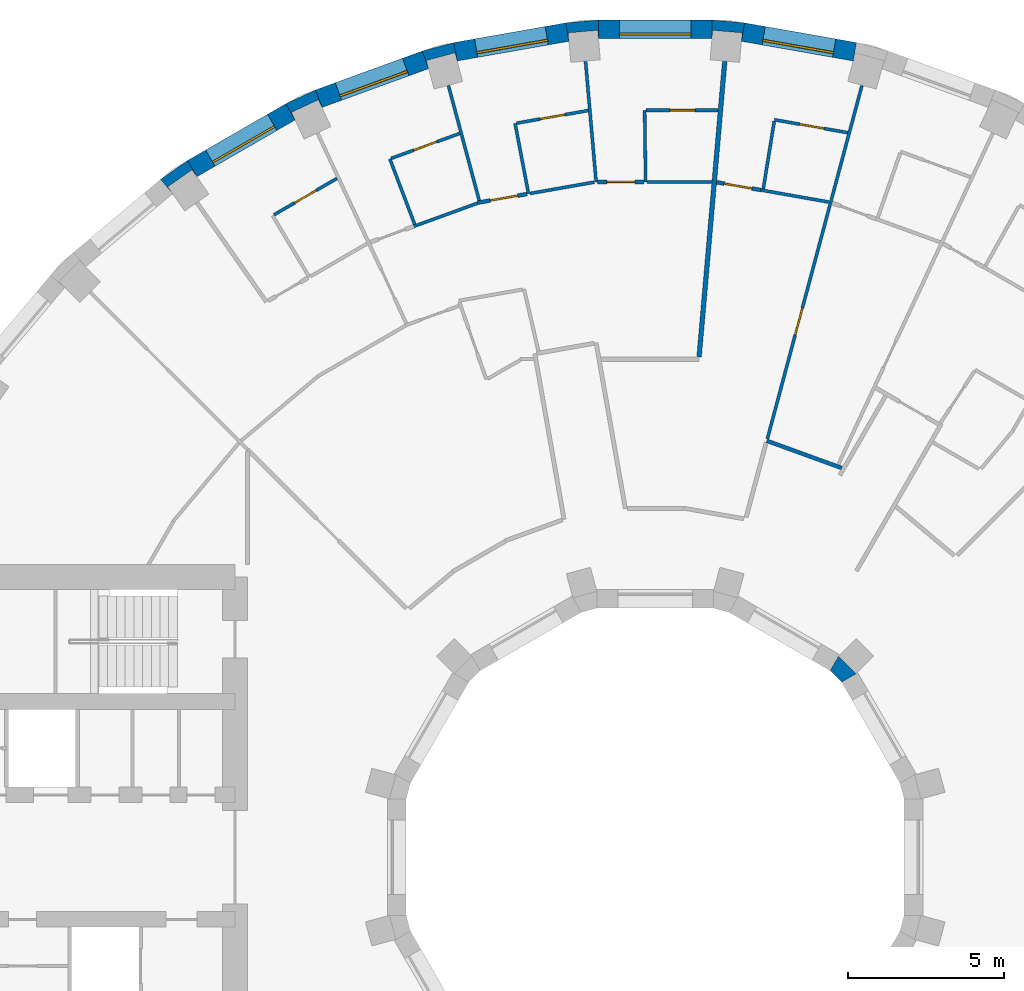
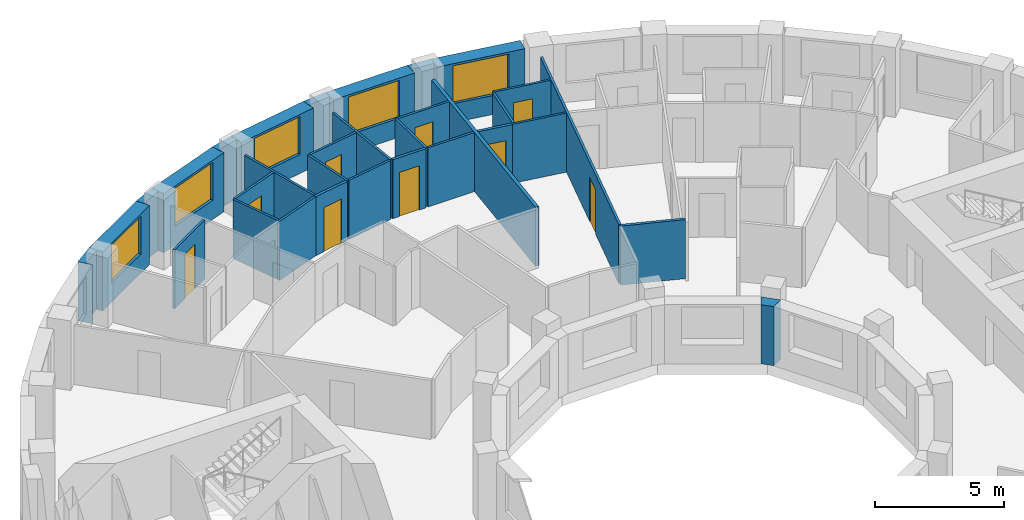
# One storey, part 12 of 16: 32 walls, 9 doors, 5 windows, 14 openings.
"""IFC4 building model written with IfcOpenShell, lengths in metres."""

from ifc_helpers import new_model, si_unit, direction, frame, frame_2d, origin, place, context, subcontext, project, spatial, polyline, rectangle, outline, extrude, material, layer, layer_set, type_object, element, fill, save


model = new_model("IFC4")

# Units and contexts
model_context = context("Model", 3, precision=1e-05, world=origin(), true_north=direction((0.0, 1.0)))
body_context = subcontext(model_context, "Body", "Model", "MODEL_VIEW")
ifc_project = project(units=[si_unit("LENGTHUNIT", "METRE"), si_unit("AREAUNIT", "SQUARE_METRE"), si_unit("VOLUMEUNIT", "CUBIC_METRE"), si_unit("PLANEANGLEUNIT", "RADIAN"), si_unit("MASSUNIT", "GRAM", prefix="KILO")], contexts=[model_context])

# Site, building, storey
site_placement = place(None, origin())
site = spatial("IfcSite", under=ifc_project, at=site_placement, CompositionType="ELEMENT")
building_placement = place(site_placement, origin())
building = spatial("IfcBuilding", under=site, at=building_placement, Name="Saqina Gate Tower", CompositionType="ELEMENT")
storey_placement = place(building_placement, frame((0.0, 0.0, 128.199951171875)))
storey = spatial("IfcBuildingStorey", under=building, at=storey_placement, Name="L36", CompositionType="ELEMENT", Elevation=128.199951171875)

# Walls
ifc_material_1 = material(Name="Brick masonry (buff)", Category="masonry")
wall_type_1 = type_object("IfcWallType", Name="BRICK PIER COPING BUFF", PredefinedType="SOLIDWALL", material=ifc_material_1)
wall_1_placement = place(storey_placement, origin())
element("IfcWall", 1, at=wall_1_placement, inside=storey, type_object=wall_type_1, Name="Pier cap L36 column 9", PredefinedType="SOLIDWALL", context=body_context, shape_type="SweptSolid", body=[
    extrude(outline(polyline([(2.87451171875, 26.805419921875), (1.823974609375, 26.897216796875), (1.823974609375, 26.29736328125), (1.847412109375, 26.565185546875), (2.793701171875, 26.482421875), (2.770263671875, 26.214599609375), (2.87451171875, 26.805419921875)])), origin(), (0.0, 0.0, 1.0), 2.800048828125),
])
wall_2_placement = place(storey_placement, origin())
element("IfcWall", 2, at=wall_2_placement, inside=storey, type_object=wall_type_1, Name="Pier cap L36 column 10", PredefinedType="SOLIDWALL", context=body_context, shape_type="SweptSolid", body=[
    extrude(outline(polyline([(-2.87451171875, 26.805419921875), (-2.770263671875, 26.214599609375), (-2.793701171875, 26.482421875), (-1.847412109375, 26.565185546875), (-1.823974609375, 26.29736328125), (-1.823974609375, 26.897216796875), (-2.87451171875, 26.805419921875)])), origin(), (0.0, 0.0, 1.0), 2.800048828125),
])
wall_3_placement = place(storey_placement, origin())
element("IfcWall", 3, at=wall_3_placement, inside=storey, type_object=wall_type_1, Name="Pier cap L36 column 11", PredefinedType="SOLIDWALL", context=body_context, shape_type="SweptSolid", body=[
    extrude(outline(polyline([(-6.466796875, 26.171875), (-7.485595703125, 25.89892578125), (-7.2802734375, 25.335205078125), (-7.349853515625, 25.5947265625), (-6.43212890625, 25.8408203125), (-6.36279296875, 25.5810546875), (-6.466796875, 26.171875)])), origin(), (0.0, 0.0, 1.0), 2.800048828125),
])
wall_4_placement = place(storey_placement, origin())
element("IfcWall", 4, at=wall_4_placement, inside=storey, type_object=wall_type_1, Name="Pier cap L36 column 12", PredefinedType="SOLIDWALL", context=body_context, shape_type="SweptSolid", body=[
    extrude(outline(polyline([(-10.913330078125, 24.6513671875), (-11.869140625, 24.205810546875), (-11.569091796875, 23.68603515625), (-11.6826171875, 23.9296875), (-10.82177734375, 24.331298828125), (-10.7080078125, 24.08740234375), (-10.913330078125, 24.6513671875)])), origin(), (0.0, 0.0, 1.0), 2.800048828125),
])
wall_5_placement = place(storey_placement, origin())
element("IfcWall", 5, at=wall_5_placement, inside=storey, type_object=wall_type_1, Name="Pier cap L36 column 13", PredefinedType="SOLIDWALL", context=body_context, shape_type="SweptSolid", body=[
    extrude(outline(polyline([(-15.89208984375, 21.77685546875), (-15.50634765625, 21.317138671875), (-15.66064453125, 21.53759765625), (-14.88232421875, 22.08251953125), (-14.728271484375, 21.862060546875), (-15.0283203125, 22.3818359375), (-15.89208984375, 21.77685546875)])), origin(), (0.0, 0.0, 1.0), 2.800048828125),
])

# Wall, opening, window
ifc_material_2 = material(Name="Brick masonry (buff)", Category="masonry")
ifc_layer_1 = layer(ifc_material_2, 0.60009765625)
ifc_layer_set_1 = layer_set([ifc_layer_1], Name="FW-BRICK-BUFF")
wall_type_2 = type_object("IfcWallType", Name="FW-BRICK-BUFF", PredefinedType="SOLIDWALL", material=ifc_layer_set_1)
wall_6_placement = place(storey_placement, frame((6.414794921875, 25.87646484375, 0.0), z_axis=(0.0, 0.0, 1.0), x_axis=(-0.984803764455, 0.173670796382, 0.0)))
wall_6 = element("IfcWall", 6, at=wall_6_placement, inside=storey, type_object=wall_type_2, Name="Facade wall L36 facet 8", PredefinedType="SOLIDWALL", context=body_context, shape_type="SweptSolid", body=[
    extrude(rectangle(XDim=3.64794921875, YDim=0.60009765625, at=frame_2d((1.823974609375, 0.0))), origin(), (0.0, 0.0, 1.0), 2.800048828125),
])
opening_1_placement = place(wall_6_placement, frame((0.673828125, 0.0, 0.89990234375)))
opening_1 = element("IfcOpeningElement", 7, at=opening_1_placement, cuts=wall_6, Name="Opening G10-W06", PredefinedType="OPENING", context=body_context, shape_type="SweptSolid", body=[
    extrude(rectangle(XDim=2.300048828125, YDim=1.800048828125, at=frame_2d((1.14990234375, 0.89990234375))), frame((0.0, 0.31201171875, 0.0), z_axis=(0.0, -1.0, 0.0), x_axis=(1.0, 0.0, 0.0)), (0.0, 0.0, 1.0), 0.6240234375),
])
ifc_material_3 = material(Name="Aluminium glazing", Category="aluminium")
window_type = type_object("IfcWindowType", Name="WN-B", PartitioningType="SINGLE_PANEL", PredefinedType="WINDOW", material=ifc_material_3)
window_1_placement = place(opening_1_placement, origin())
window_1 = element("IfcWindow", 8, at=window_1_placement, inside=storey, type_object=window_type, Name="Window L36 facet 8", OverallHeight=1.800048828125, OverallWidth=2.300048828125, PartitioningType="SINGLE_PANEL", PredefinedType="WINDOW", context=body_context, shape_type="SweptSolid", body=[
    extrude(rectangle(XDim=2.300048828125, YDim=1.800048828125, at=frame_2d((1.14990234375, 0.89990234375))), frame((0.0, 0.179931640625, 0.0), z_axis=(0.0, -1.0, 0.0), x_axis=(1.0, 0.0, 0.0)), (0.0, 0.0, 1.0), 0.06005859375),
])
fill(opening_1, window_1)

wall_7_placement = place(storey_placement, frame((1.823974609375, 26.59716796875, 0.0), z_axis=(0.0, 0.0, 1.0), x_axis=(-1.0, 0.0, 0.0)))
wall_7 = element("IfcWall", 9, at=wall_7_placement, inside=storey, type_object=wall_type_2, Name="Facade wall L36 facet 9", PredefinedType="SOLIDWALL", context=body_context, shape_type="SweptSolid", body=[
    extrude(rectangle(XDim=3.64794921875, YDim=0.60009765625, at=frame_2d((1.823974609375, 0.0))), origin(), (0.0, 0.0, 1.0), 2.800048828125),
])
opening_2_placement = place(wall_7_placement, frame((0.673828125, 0.0, 0.89990234375)))
opening_2 = element("IfcOpeningElement", 10, at=opening_2_placement, cuts=wall_7, Name="Opening G10-W07", PredefinedType="OPENING", context=body_context, shape_type="SweptSolid", body=[
    extrude(rectangle(XDim=2.300048828125, YDim=1.800048828125, at=frame_2d((1.14990234375, 0.89990234375))), frame((0.0, 0.31201171875, 0.0), z_axis=(0.0, -1.0, 0.0), x_axis=(1.0, 0.0, 0.0)), (0.0, 0.0, 1.0), 0.6240234375),
])
window_2_placement = place(opening_2_placement, origin())
window_2 = element("IfcWindow", 11, at=window_2_placement, inside=storey, type_object=window_type, Name="Window L36 facet 9", OverallHeight=1.800048828125, OverallWidth=2.300048828125, PartitioningType="SINGLE_PANEL", PredefinedType="WINDOW", context=body_context, shape_type="SweptSolid", body=[
    extrude(rectangle(XDim=2.300048828125, YDim=1.800048828125, at=frame_2d((1.14990234375, 0.89990234375))), frame((0.0, 0.179931640625, 0.0), z_axis=(0.0, -1.0, 0.0), x_axis=(1.0, 0.0, 0.0)), (0.0, 0.0, 1.0), 0.06005859375),
])
fill(opening_2, window_2)

wall_8_placement = place(storey_placement, frame((-2.822265625, 26.510009765625, 0.0), z_axis=(0.0, 0.0, 1.0), x_axis=(-0.984803764455, -0.173670796382, 0.0)))
wall_8 = element("IfcWall", 12, at=wall_8_placement, inside=storey, type_object=wall_type_2, Name="Facade wall L36 facet 10", PredefinedType="SOLIDWALL", context=body_context, shape_type="SweptSolid", body=[
    extrude(rectangle(XDim=3.64794921875, YDim=0.60009765625, at=frame_2d((1.823974609375, 0.0))), origin(), (0.0, 0.0, 1.0), 2.800048828125),
])
opening_3_placement = place(wall_8_placement, frame((0.673828125, 0.0, 0.89990234375)))
opening_3 = element("IfcOpeningElement", 13, at=opening_3_placement, cuts=wall_8, Name="Opening G10-W08", PredefinedType="OPENING", context=body_context, shape_type="SweptSolid", body=[
    extrude(rectangle(XDim=2.300048828125, YDim=1.800048828125, at=frame_2d((1.14990234375, 0.89990234375))), frame((0.0, 0.31201171875, 0.0), z_axis=(0.0, -1.0, 0.0), x_axis=(1.0, 0.0, 0.0)), (0.0, 0.0, 1.0), 0.6240234375),
])
window_3_placement = place(opening_3_placement, origin())
window_3 = element("IfcWindow", 14, at=window_3_placement, inside=storey, type_object=window_type, Name="Window L36 facet 10", OverallHeight=1.800048828125, OverallWidth=2.300048828125, PartitioningType="SINGLE_PANEL", PredefinedType="WINDOW", context=body_context, shape_type="SweptSolid", body=[
    extrude(rectangle(XDim=2.300048828125, YDim=1.800048828125, at=frame_2d((1.14990234375, 0.89990234375))), frame((0.0, 0.179931640625, 0.0), z_axis=(0.0, -1.0, 0.0), x_axis=(1.0, 0.0, 0.0)), (0.0, 0.0, 1.0), 0.06005859375),
])
fill(opening_3, window_3)

wall_9_placement = place(storey_placement, frame((-7.3828125, 25.616943359375, 0.0), z_axis=(0.0, 0.0, 1.0), x_axis=(-0.939703505393, -0.341990236633, 0.0)))
wall_9 = element("IfcWall", 15, at=wall_9_placement, inside=storey, type_object=wall_type_2, Name="Facade wall L36 facet 11", PredefinedType="SOLIDWALL", context=body_context, shape_type="SweptSolid", body=[
    extrude(rectangle(XDim=3.64794921875, YDim=0.60009765625, at=frame_2d((1.823974609375, 0.0))), origin(), (0.0, 0.0, 1.0), 2.800048828125),
])
opening_4_placement = place(wall_9_placement, frame((0.673828125, 0.0, 0.89990234375)))
opening_4 = element("IfcOpeningElement", 16, at=opening_4_placement, cuts=wall_9, Name="Opening G10-W09", PredefinedType="OPENING", context=body_context, shape_type="SweptSolid", body=[
    extrude(rectangle(XDim=2.300048828125, YDim=1.800048828125, at=frame_2d((1.14990234375, 0.89990234375))), frame((0.0, 0.31201171875, 0.0), z_axis=(0.0, -1.0, 0.0), x_axis=(1.0, 0.0, 0.0)), (0.0, 0.0, 1.0), 0.6240234375),
])
window_4_placement = place(opening_4_placement, origin())
window_4 = element("IfcWindow", 17, at=window_4_placement, inside=storey, type_object=window_type, Name="Window L36 facet 11", OverallHeight=1.800048828125, OverallWidth=2.300048828125, PartitioningType="SINGLE_PANEL", PredefinedType="WINDOW", context=body_context, shape_type="SweptSolid", body=[
    extrude(rectangle(XDim=2.300048828125, YDim=1.800048828125, at=frame_2d((1.14990234375, 0.89990234375))), frame((0.0, 0.179931640625, 0.0), z_axis=(0.0, -1.0, 0.0), x_axis=(1.0, 0.0, 0.0)), (0.0, 0.0, 1.0), 0.06005859375),
])
fill(opening_4, window_4)

wall_10_placement = place(storey_placement, frame((-11.718994140625, 23.94580078125, 0.0), z_axis=(0.0, 0.0, 1.0), x_axis=(-0.866051847062, -0.499954196102, 0.0)))
wall_10 = element("IfcWall", 18, at=wall_10_placement, inside=storey, type_object=wall_type_2, Name="Facade wall L36 facet 12", PredefinedType="SOLIDWALL", context=body_context, shape_type="SweptSolid", body=[
    extrude(rectangle(XDim=3.647705078125, YDim=0.60009765625, at=frame_2d((1.82373046875, 0.0))), origin(), (0.0, 0.0, 1.0), 2.800048828125),
])
opening_5_placement = place(wall_10_placement, frame((0.673828125, 0.0, 0.89990234375)))
opening_5 = element("IfcOpeningElement", 19, at=opening_5_placement, cuts=wall_10, Name="Opening G10-W10", PredefinedType="OPENING", context=body_context, shape_type="SweptSolid", body=[
    extrude(rectangle(XDim=2.300048828125, YDim=1.800048828125, at=frame_2d((1.14990234375, 0.89990234375))), frame((0.0, 0.31201171875, 0.0), z_axis=(0.0, -1.0, 0.0), x_axis=(1.0, 0.0, 0.0)), (0.0, 0.0, 1.0), 0.6240234375),
])
window_5_placement = place(opening_5_placement, origin())
window_5 = element("IfcWindow", 20, at=window_5_placement, inside=storey, type_object=window_type, Name="Window L36 facet 12", OverallHeight=1.800048828125, OverallWidth=2.300048828125, PartitioningType="SINGLE_PANEL", PredefinedType="WINDOW", context=body_context, shape_type="SweptSolid", body=[
    extrude(rectangle(XDim=2.300048828125, YDim=1.800048828125, at=frame_2d((1.14990234375, 0.89990234375))), frame((0.0, 0.179931640625, 0.0), z_axis=(0.0, -1.0, 0.0), x_axis=(1.0, 0.0, 0.0)), (0.0, 0.0, 1.0), 0.06005859375),
])
fill(opening_5, window_5)

# Walls
ifc_material_4 = material(Name="Gypsum board on steel studs, 100 mm", Category="steel")
ifc_layer_2 = layer(ifc_material_4, 0.10009765625)
ifc_layer_set_2 = layer_set([ifc_layer_2], Name="PARTITION 100")
wall_type_3 = type_object("IfcWallType", Name="PARTITION 100", PredefinedType="PARTITIONING", material=ifc_layer_set_2)
wall_11_placement = place(storey_placement, frame((-0.339111328125, 23.9970703125, 0.0), z_axis=(0.0, 0.0, 1.0), x_axis=(0.014009876351, -0.999901856866, 0.0)))
element("IfcWall", 21, at=wall_11_placement, inside=storey, type_object=wall_type_3, Name="PARTITION PW3-01", PredefinedType="PARTITIONING", context=body_context, shape_type="SweptSolid", body=[
    extrude(rectangle(XDim=2.30029296875, YDim=0.10009765625, at=frame_2d((1.150146484375, 0.0))), origin(), (0.0, 0.0, 1.0), 2.800048828125),
])
wall_12_placement = place(storey_placement, frame((-2.237060546875, 25.5673828125, 0.0), z_axis=(0.0, 0.0, 1.0), x_axis=(0.087283097701, -0.996183547774, 0.0)))
element("IfcWall", 22, at=wall_12_placement, inside=storey, type_object=wall_type_3, Name="PARTITION PW3-03", PredefinedType="PARTITIONING", context=body_context, shape_type="SweptSolid", body=[
    extrude(rectangle(XDim=3.88525390625, YDim=0.10009765625, at=frame_2d((1.942626953125, 0.0))), origin(), (0.0, 0.0, 1.0), 2.800048828125),
])
wall_13_placement = place(storey_placement, frame((-4.5009765625, 23.573974609375, 0.0), z_axis=(0.0, 0.0, 1.0), x_axis=(0.187292523019, -0.982304184467, 0.0)))
element("IfcWall", 23, at=wall_13_placement, inside=storey, type_object=wall_type_3, Name="PARTITION PW3-04", PredefinedType="PARTITIONING", context=body_context, shape_type="SweptSolid", body=[
    extrude(rectangle(XDim=2.30078125, YDim=0.10009765625, at=frame_2d((1.150390625, 0.0))), origin(), (0.0, 0.0, 1.0), 2.800048828125),
])
wall_14_placement = place(storey_placement, frame((-6.642578125, 24.79052734375, 0.0), z_axis=(0.0, 0.0, 1.0), x_axis=(0.258530300991, -0.966003148789, 0.0)))
element("IfcWall", 24, at=wall_14_placement, inside=storey, type_object=wall_type_3, Name="PARTITION PW3-07", PredefinedType="PARTITIONING", context=body_context, shape_type="SweptSolid", body=[
    extrude(rectangle(XDim=3.8349609375, YDim=0.10009765625, at=frame_2d((1.91748046875, 0.0))), origin(), (0.0, 0.0, 1.0), 2.800048828125),
])
wall_15_placement = place(storey_placement, frame((-8.52587890625, 22.43408203125, 0.0), z_axis=(0.0, 0.0, 1.0), x_axis=(0.355151387301, -0.934808799754, 0.0)))
element("IfcWall", 25, at=wall_15_placement, inside=storey, type_object=wall_type_3, Name="PARTITION PW3-10", PredefinedType="PARTITIONING", context=body_context, shape_type="SweptSolid", body=[
    extrude(rectangle(XDim=2.25, YDim=0.10009765625, at=frame_2d((1.125, 0.0))), origin(), (0.0, 0.0, 1.0), 2.800048828125),
])
wall_16_placement = place(storey_placement, frame((3.388671875, 21.4345703125, 0.0), z_axis=(0.0, 0.0, 1.0), x_axis=(0.984795731746, -0.173716339864, 0.0)))
element("IfcWall", 26, at=wall_16_placement, inside=storey, type_object=wall_type_3, Name="PARTITION PW3-49", PredefinedType="PARTITIONING", context=body_context, shape_type="SweptSolid", body=[
    extrude(rectangle(XDim=2.220458984375, YDim=0.10009765625, at=frame_2d((1.1103515625, 0.0))), origin(), (0.0, 0.0, 1.0), 2.800048828125),
])

# Wall, opening, door
wall_17_placement = place(storey_placement, frame((3.8330078125, 23.69189453125, 0.0), z_axis=(0.0, 0.0, 1.0), x_axis=(0.984788703161, -0.173756180111, 0.0)))
wall_17 = element("IfcWall", 27, at=wall_17_placement, inside=storey, type_object=wall_type_3, Name="PARTITION PW3-50", PredefinedType="PARTITIONING", context=body_context, shape_type="SweptSolid", body=[
    extrude(rectangle(XDim=2.388671875, YDim=0.10009765625, at=frame_2d((1.1943359375, 0.0))), origin(), (0.0, 0.0, 1.0), 2.800048828125),
])
opening_6_placement = place(wall_17_placement, frame((0.819580078125, 0.0, 0.0)))
opening_6 = element("IfcOpeningElement", 28, at=opening_6_placement, cuts=wall_17, Name="Opening G10-D14", PredefinedType="OPENING", context=body_context, shape_type="SweptSolid", body=[
    extrude(rectangle(XDim=0.800048828125, YDim=2.10009765625, at=frame_2d((0.39990234375, 1.050048828125))), frame((0.0, 0.06201171875, 0.0), z_axis=(0.0, -1.0, 0.0), x_axis=(1.0, 0.0, 0.0)), (0.0, 0.0, 1.0), 0.1240234375),
])
ifc_material_5 = material(Name="Timber door leaf, 800 mm", Category="wood")
door_type_1 = type_object("IfcDoorType", Name="DOOR 800 TIMBER", OperationType="SINGLE_SWING_LEFT", PredefinedType="DOOR", material=ifc_material_5)
door_1_placement = place(opening_6_placement, origin())
door_1 = element("IfcDoor", 29, at=door_1_placement, inside=storey, type_object=door_type_1, Name="DOOR G10-D14", OperationType="SINGLE_SWING_RIGHT", OverallHeight=2.10009765625, OverallWidth=0.800048828125, PredefinedType="DOOR", context=body_context, shape_type="SweptSolid", body=[
    extrude(rectangle(XDim=0.800048828125, YDim=2.10009765625, at=frame_2d((0.39990234375, 1.050048828125))), frame((0.0, 0.02490234375, 0.0), z_axis=(0.0, -1.0, 0.0), x_axis=(1.0, 0.0, 0.0)), (0.0, 0.0, 1.0), 0.050048828125),
])
fill(opening_6, door_1)

# Wall
wall_18_placement = place(storey_placement, frame((-0.257080078125, 21.697021484375, 0.0), z_axis=(0.0, 0.0, 1.0), x_axis=(1.0, 0.0, 0.0)))
element("IfcWall", 30, at=wall_18_placement, inside=storey, type_object=wall_type_3, Name="PARTITION PW3-55", PredefinedType="PARTITIONING", context=body_context, shape_type="SweptSolid", body=[
    extrude(rectangle(XDim=2.080078125, YDim=0.10009765625, at=frame_2d((1.0400390625, 0.0))), origin(), (0.0, 0.0, 1.0), 2.800048828125),
])

# Wall, opening, door
wall_19_placement = place(storey_placement, frame((-0.2890625, 23.9970703125, 0.0), z_axis=(0.0, 0.0, 1.0), x_axis=(1.0, 0.0, 0.0)))
wall_19 = element("IfcWall", 31, at=wall_19_placement, inside=storey, type_object=wall_type_3, Name="PARTITION PW3-56", PredefinedType="PARTITIONING", context=body_context, shape_type="SweptSolid", body=[
    extrude(rectangle(XDim=2.31298828125, YDim=0.10009765625, at=frame_2d((1.156494140625, 0.0))), origin(), (0.0, 0.0, 1.0), 2.800048828125),
])
opening_7_placement = place(wall_19_placement, frame((0.76904296875, 0.0, 0.0)))
opening_7 = element("IfcOpeningElement", 32, at=opening_7_placement, cuts=wall_19, Name="Opening G10-D16", PredefinedType="OPENING", context=body_context, shape_type="SweptSolid", body=[
    extrude(rectangle(XDim=0.800048828125, YDim=2.10009765625, at=frame_2d((0.39990234375, 1.050048828125))), frame((0.0, 0.06201171875, 0.0), z_axis=(0.0, -1.0, 0.0), x_axis=(1.0, 0.0, 0.0)), (0.0, 0.0, 1.0), 0.1240234375),
])
door_2_placement = place(opening_7_placement, origin())
door_2 = element("IfcDoor", 33, at=door_2_placement, inside=storey, type_object=door_type_1, Name="DOOR G10-D16", OperationType="SINGLE_SWING_RIGHT", OverallHeight=2.10009765625, OverallWidth=0.800048828125, PredefinedType="DOOR", context=body_context, shape_type="SweptSolid", body=[
    extrude(rectangle(XDim=0.800048828125, YDim=2.10009765625, at=frame_2d((0.39990234375, 1.050048828125))), frame((0.0, 0.02490234375, 0.0), z_axis=(0.0, -1.0, 0.0), x_axis=(1.0, 0.0, 0.0)), (0.0, 0.0, 1.0), 0.050048828125),
])
fill(opening_7, door_2)

# Wall
wall_20_placement = place(storey_placement, frame((-4.020751953125, 21.32275390625, 0.0), z_axis=(0.0, 0.0, 1.0), x_axis=(0.984822285077, 0.173565742058, 0.0)))
element("IfcWall", 34, at=wall_20_placement, inside=storey, type_object=wall_type_3, Name="PARTITION PW3-61", PredefinedType="PARTITIONING", context=body_context, shape_type="SweptSolid", body=[
    extrude(rectangle(XDim=2.093017578125, YDim=0.10009765625, at=frame_2d((1.04638671875, 0.0))), origin(), (0.0, 0.0, 1.0), 2.800048828125),
])

# Wall, opening, door
wall_21_placement = place(storey_placement, frame((-4.45166015625, 23.582763671875, 0.0), z_axis=(0.0, 0.0, 1.0), x_axis=(0.984842373392, 0.173451721154, 0.0)))
wall_21 = element("IfcWall", 35, at=wall_21_placement, inside=storey, type_object=wall_type_3, Name="PARTITION PW3-62", PredefinedType="PARTITIONING", context=body_context, shape_type="SweptSolid", body=[
    extrude(rectangle(XDim=2.337890625, YDim=0.10009765625, at=frame_2d((1.1689453125, 0.0))), origin(), (0.0, 0.0, 1.0), 2.800048828125),
])
opening_8_placement = place(wall_21_placement, frame((0.76904296875, 0.0, 0.0)))
opening_8 = element("IfcOpeningElement", 36, at=opening_8_placement, cuts=wall_21, Name="Opening G10-D18", PredefinedType="OPENING", context=body_context, shape_type="SweptSolid", body=[
    extrude(rectangle(XDim=0.800048828125, YDim=2.10009765625, at=frame_2d((0.39990234375, 1.050048828125))), frame((0.0, 0.06201171875, 0.0), z_axis=(0.0, -1.0, 0.0), x_axis=(1.0, 0.0, 0.0)), (0.0, 0.0, 1.0), 0.1240234375),
])
door_3_placement = place(opening_8_placement, origin())
door_3 = element("IfcDoor", 37, at=door_3_placement, inside=storey, type_object=door_type_1, Name="DOOR G10-D18", OperationType="SINGLE_SWING_RIGHT", OverallHeight=2.10009765625, OverallWidth=0.800048828125, PredefinedType="DOOR", context=body_context, shape_type="SweptSolid", body=[
    extrude(rectangle(XDim=0.800048828125, YDim=2.10009765625, at=frame_2d((0.39990234375, 1.050048828125))), frame((0.0, 0.02490234375, 0.0), z_axis=(0.0, -1.0, 0.0), x_axis=(1.0, 0.0, 0.0)), (0.0, 0.0, 1.0), 0.050048828125),
])
fill(opening_8, door_3)

# Wall
wall_22_placement = place(storey_placement, frame((-7.75927734375, 20.265380859375, 0.0), z_axis=(0.0, 0.0, 1.0), x_axis=(0.9397154993, 0.341957278581, 0.0)))
element("IfcWall", 38, at=wall_22_placement, inside=storey, type_object=wall_type_3, Name="PARTITION PW3-66", PredefinedType="PARTITIONING", context=body_context, shape_type="SweptSolid", body=[
    extrude(rectangle(XDim=2.196044921875, YDim=0.10009765625, at=frame_2d((1.09814453125, 0.0))), origin(), (0.0, 0.0, 1.0), 2.800048828125),
])

# Wall, opening, door
wall_23_placement = place(storey_placement, frame((-8.47900390625, 22.451171875, 0.0), z_axis=(0.0, 0.0, 1.0), x_axis=(0.939671413828, 0.342078403345, 0.0)))
wall_23 = element("IfcWall", 39, at=wall_23_placement, inside=storey, type_object=wall_type_3, Name="PARTITION PW3-67", PredefinedType="PARTITIONING", context=body_context, shape_type="SweptSolid", body=[
    extrude(rectangle(XDim=2.338134765625, YDim=0.10009765625, at=frame_2d((1.1689453125, 0.0))), origin(), (0.0, 0.0, 1.0), 2.800048828125),
])
opening_9_placement = place(wall_23_placement, frame((0.76904296875, 0.0, 0.0)))
opening_9 = element("IfcOpeningElement", 40, at=opening_9_placement, cuts=wall_23, Name="Opening G10-D20", PredefinedType="OPENING", context=body_context, shape_type="SweptSolid", body=[
    extrude(rectangle(XDim=0.800048828125, YDim=2.10009765625, at=frame_2d((0.39990234375, 1.050048828125))), frame((0.0, 0.06201171875, 0.0), z_axis=(0.0, -1.0, 0.0), x_axis=(1.0, 0.0, 0.0)), (0.0, 0.0, 1.0), 0.1240234375),
])
door_4_placement = place(opening_9_placement, origin())
door_4 = element("IfcDoor", 41, at=door_4_placement, inside=storey, type_object=door_type_1, Name="DOOR G10-D20", OperationType="SINGLE_SWING_LEFT", OverallHeight=2.10009765625, OverallWidth=0.800048828125, PredefinedType="DOOR", context=body_context, shape_type="SweptSolid", body=[
    extrude(rectangle(XDim=0.800048828125, YDim=2.10009765625, at=frame_2d((0.39990234375, 1.050048828125))), frame((0.0, 0.02490234375, 0.0), z_axis=(0.0, -1.0, 0.0), x_axis=(1.0, 0.0, 0.0)), (0.0, 0.0, 1.0), 0.050048828125),
])
fill(opening_9, door_4)

wall_24_placement = place(storey_placement, frame((-12.248779296875, 20.637939453125, 0.0), z_axis=(0.0, 0.0, 1.0), x_axis=(0.866076057046, 0.499912255713, 0.0)))
wall_24 = element("IfcWall", 42, at=wall_24_placement, inside=storey, type_object=wall_type_3, Name="PARTITION PW3-74", PredefinedType="PARTITIONING", context=body_context, shape_type="SweptSolid", body=[
    extrude(rectangle(XDim=2.33837890625, YDim=0.10009765625, at=frame_2d((1.169189453125, 0.0))), origin(), (0.0, 0.0, 1.0), 2.800048828125),
])
opening_10_placement = place(wall_24_placement, frame((0.769287109375, 0.0, 0.0)))
opening_10 = element("IfcOpeningElement", 43, at=opening_10_placement, cuts=wall_24, Name="Opening G10-D25", PredefinedType="OPENING", context=body_context, shape_type="SweptSolid", body=[
    extrude(rectangle(XDim=0.800048828125, YDim=2.10009765625, at=frame_2d((0.39990234375, 1.050048828125))), frame((0.0, 0.06201171875, 0.0), z_axis=(0.0, -1.0, 0.0), x_axis=(1.0, 0.0, 0.0)), (0.0, 0.0, 1.0), 0.1240234375),
])
door_5_placement = place(opening_10_placement, origin())
door_5 = element("IfcDoor", 44, at=door_5_placement, inside=storey, type_object=door_type_1, Name="DOOR G10-D25", OperationType="SINGLE_SWING_RIGHT", OverallHeight=2.10009765625, OverallWidth=0.800048828125, PredefinedType="DOOR", context=body_context, shape_type="SweptSolid", body=[
    extrude(rectangle(XDim=0.800048828125, YDim=2.10009765625, at=frame_2d((0.39990234375, 1.050048828125))), frame((0.0, 0.02490234375, 0.0), z_axis=(0.0, -1.0, 0.0), x_axis=(1.0, 0.0, 0.0)), (0.0, 0.0, 1.0), 0.050048828125),
])
fill(opening_10, door_5)

wall_25_placement = place(storey_placement, frame((3.604736328125, 13.43994140625, 0.0), z_axis=(0.0, 0.0, 1.0), x_axis=(0.258538057112, 0.966001072994, 0.0)))
wall_25 = element("IfcWall", 45, at=wall_25_placement, inside=storey, type_object=wall_type_3, Name="PARTITION PW3-102", PredefinedType="PARTITIONING", context=body_context, shape_type="SweptSolid", body=[
    extrude(rectangle(XDim=11.75, YDim=0.10009765625, at=frame_2d((5.875, 0.0))), origin(), (0.0, 0.0, 1.0), 2.800048828125),
])
opening_11_placement = place(wall_25_placement, frame((3.450439453125, 0.0, 0.0)))
opening_11 = element("IfcOpeningElement", 46, at=opening_11_placement, cuts=wall_25, Name="Opening G10-D13", PredefinedType="OPENING", context=body_context, shape_type="SweptSolid", body=[
    extrude(rectangle(XDim=0.89990234375, YDim=2.10009765625, at=frame_2d((0.449951171875, 1.050048828125))), frame((0.0, 0.06201171875, 0.0), z_axis=(0.0, -1.0, 0.0), x_axis=(1.0, 0.0, 0.0)), (0.0, 0.0, 1.0), 0.1240234375),
])
ifc_material_6 = material(Name="Timber door leaf, 900 mm", Category="wood")
door_type_2 = type_object("IfcDoorType", Name="DOOR 900 TIMBER", OperationType="SINGLE_SWING_LEFT", PredefinedType="DOOR", material=ifc_material_6)
door_6_placement = place(opening_11_placement, origin())
door_6 = element("IfcDoor", 47, at=door_6_placement, inside=storey, type_object=door_type_2, Name="DOOR G10-D13", OperationType="SINGLE_SWING_LEFT", OverallHeight=2.10009765625, OverallWidth=0.89990234375, PredefinedType="DOOR", context=body_context, shape_type="SweptSolid", body=[
    extrude(rectangle(XDim=0.89990234375, YDim=2.10009765625, at=frame_2d((0.449951171875, 1.050048828125))), frame((0.0, 0.02490234375, 0.0), z_axis=(0.0, -1.0, 0.0), x_axis=(1.0, 0.0, 0.0)), (0.0, 0.0, 1.0), 0.050048828125),
])
fill(opening_11, door_6)

# Walls
wall_26_placement = place(storey_placement, frame((3.473876953125, 21.470458984375, 0.0), z_axis=(0.0, 0.0, 1.0), x_axis=(0.159556862709, 0.987188739585, 0.0)))
element("IfcWall", 48, at=wall_26_placement, inside=storey, type_object=wall_type_3, Name="PARTITION PW3-105", PredefinedType="PARTITIONING", context=body_context, shape_type="SweptSolid", body=[
    extrude(rectangle(XDim=2.2001953125, YDim=0.10009765625, at=frame_2d((1.10009765625, 0.0))), origin(), (0.0, 0.0, 1.0), 2.800048828125),
])
ifc_material_7 = material(Name="Gypsum board on steel studs, 125 mm, fire rated", Category="steel")
ifc_layer_3 = layer(ifc_material_7, 0.125)
ifc_layer_set_3 = layer_set([ifc_layer_3], Name="PARTITION EI 30 125")
wall_type_4 = type_object("IfcWallType", Name="PARTITION EI 30 125", PredefinedType="PARTITIONING", material=ifc_layer_set_3)
wall_27_placement = place(storey_placement, frame((3.585205078125, 13.378662109375, 0.0), z_axis=(0.0, 0.0, 1.0), x_axis=(0.939651552045, -0.342132957691, 0.0)))
element("IfcWall", 49, at=wall_27_placement, inside=storey, type_object=wall_type_4, Name="PARTITION PW1-22", PredefinedType="PARTITIONING", context=body_context, shape_type="SweptSolid", body=[
    extrude(rectangle(XDim=2.56396484375, YDim=0.125, at=frame_2d((1.281982421875, 0.0))), origin(), (0.0, 0.0, 1.0), 2.800048828125),
])

# Wall, opening, door
wall_28_placement = place(storey_placement, frame((1.971923828125, 21.68408203125, 0.0), z_axis=(0.0, 0.0, 1.0), x_axis=(0.984843298649, -0.173446467555, 0.0)))
wall_28 = element("IfcWall", 50, at=wall_28_placement, inside=storey, type_object=wall_type_4, Name="PARTITION PW1-26", PredefinedType="PARTITIONING", context=body_context, shape_type="SweptSolid", body=[
    extrude(rectangle(XDim=1.4384765625, YDim=0.125, at=frame_2d((0.71923828125, 0.0))), origin(), (0.0, 0.0, 1.0), 2.800048828125),
])
opening_12_placement = place(wall_28_placement, frame((0.2568359375, 0.0, 0.0)))
opening_12 = element("IfcOpeningElement", 51, at=opening_12_placement, cuts=wall_28, Name="Opening G10-D15", PredefinedType="OPENING", context=body_context, shape_type="SweptSolid", body=[
    extrude(rectangle(XDim=0.89990234375, YDim=2.10009765625, at=frame_2d((0.449951171875, 1.050048828125))), frame((0.0, 0.074462890625, 0.0), z_axis=(0.0, -1.0, 0.0), x_axis=(1.0, 0.0, 0.0)), (0.0, 0.0, 1.0), 0.14892578125),
])
ifc_material_8 = material(Name="Fire door leaf EI 30, 900 mm")
door_type_3 = type_object("IfcDoorType", Name="DOOR 900 EI 30", OperationType="SINGLE_SWING_LEFT", PredefinedType="DOOR", material=ifc_material_8)
door_7_placement = place(opening_12_placement, frame((0.89990234375, 0.0, 0.0), z_axis=(0.0, 0.0, 1.0), x_axis=(-1.0, 0.0, 0.0)))
door_7 = element("IfcDoor", 52, at=door_7_placement, inside=storey, type_object=door_type_3, Name="DOOR G10-D15", OperationType="SINGLE_SWING_RIGHT", OverallHeight=2.10009765625, OverallWidth=0.89990234375, PredefinedType="DOOR", context=body_context, shape_type="SweptSolid", body=[
    extrude(rectangle(XDim=0.89990234375, YDim=2.10009765625, at=frame_2d((0.449951171875, 1.050048828125))), frame((0.0, 0.02490234375, 0.0), z_axis=(0.0, -1.0, 0.0), x_axis=(1.0, 0.0, 0.0)), (0.0, 0.0, 1.0), 0.050048828125),
])
fill(opening_12, door_7)

wall_29_placement = place(storey_placement, frame((-1.847900390625, 21.697021484375, 0.0), z_axis=(0.0, 0.0, 1.0), x_axis=(1.0, 0.0, 0.0)))
wall_29 = element("IfcWall", 53, at=wall_29_placement, inside=storey, type_object=wall_type_4, Name="PARTITION PW1-30", PredefinedType="PARTITIONING", context=body_context, shape_type="SweptSolid", body=[
    extrude(rectangle(XDim=1.490966796875, YDim=0.125, at=frame_2d((0.74560546875, 0.0))), origin(), (0.0, 0.0, 1.0), 2.800048828125),
])
opening_13_placement = place(wall_29_placement, frame((0.29541015625, 0.0, 0.0)))
opening_13 = element("IfcOpeningElement", 54, at=opening_13_placement, cuts=wall_29, Name="Opening G10-D17", PredefinedType="OPENING", context=body_context, shape_type="SweptSolid", body=[
    extrude(rectangle(XDim=0.89990234375, YDim=2.10009765625, at=frame_2d((0.449951171875, 1.050048828125))), frame((0.0, 0.074462890625, 0.0), z_axis=(0.0, -1.0, 0.0), x_axis=(1.0, 0.0, 0.0)), (0.0, 0.0, 1.0), 0.14892578125),
])
door_8_placement = place(opening_13_placement, frame((0.89990234375, 0.0, 0.0), z_axis=(0.0, 0.0, 1.0), x_axis=(-1.0, 0.0, 0.0)))
door_8 = element("IfcDoor", 55, at=door_8_placement, inside=storey, type_object=door_type_3, Name="DOOR G10-D17", OperationType="SINGLE_SWING_RIGHT", OverallHeight=2.10009765625, OverallWidth=0.89990234375, PredefinedType="DOOR", context=body_context, shape_type="SweptSolid", body=[
    extrude(rectangle(XDim=0.89990234375, YDim=2.10009765625, at=frame_2d((0.449951171875, 1.050048828125))), frame((0.0, 0.02490234375, 0.0), z_axis=(0.0, -1.0, 0.0), x_axis=(1.0, 0.0, 0.0)), (0.0, 0.0, 1.0), 0.050048828125),
])
fill(opening_13, door_8)

wall_30_placement = place(storey_placement, frame((-5.699462890625, 21.027099609375, 0.0), z_axis=(0.0, 0.0, 1.0), x_axis=(0.984843235948, 0.173446823572, 0.0)))
wall_30 = element("IfcWall", 56, at=wall_30_placement, inside=storey, type_object=wall_type_4, Name="PARTITION PW1-34", PredefinedType="PARTITIONING", context=body_context, shape_type="SweptSolid", body=[
    extrude(rectangle(XDim=1.604736328125, YDim=0.125, at=frame_2d((0.80224609375, 0.0))), origin(), (0.0, 0.0, 1.0), 2.800048828125),
])
opening_14_placement = place(wall_30_placement, frame((0.409423828125, 0.0, 0.0)))
opening_14 = element("IfcOpeningElement", 57, at=opening_14_placement, cuts=wall_30, Name="Opening G10-D19", PredefinedType="OPENING", context=body_context, shape_type="SweptSolid", body=[
    extrude(rectangle(XDim=0.89990234375, YDim=2.10009765625, at=frame_2d((0.449951171875, 1.050048828125))), frame((0.0, 0.074462890625, 0.0), z_axis=(0.0, -1.0, 0.0), x_axis=(1.0, 0.0, 0.0)), (0.0, 0.0, 1.0), 0.14892578125),
])
door_9_placement = place(opening_14_placement, frame((0.89990234375, 0.0, 0.0), z_axis=(0.0, 0.0, 1.0), x_axis=(-1.0, 0.0, 0.0)))
door_9 = element("IfcDoor", 58, at=door_9_placement, inside=storey, type_object=door_type_3, Name="DOOR G10-D19", OperationType="SINGLE_SWING_RIGHT", OverallHeight=2.10009765625, OverallWidth=0.89990234375, PredefinedType="DOOR", context=body_context, shape_type="SweptSolid", body=[
    extrude(rectangle(XDim=0.89990234375, YDim=2.10009765625, at=frame_2d((0.449951171875, 1.050048828125))), frame((0.0, 0.02490234375, 0.0), z_axis=(0.0, -1.0, 0.0), x_axis=(1.0, 0.0, 0.0)), (0.0, 0.0, 1.0), 0.050048828125),
])
fill(opening_14, door_9)

# Walls
ifc_material_9 = material(Name="Gypsum board on steel studs, 150 mm, fire rated", Category="steel")
ifc_layer_4 = layer(ifc_material_9, 0.14990234375)
ifc_layer_set_4 = layer_set([ifc_layer_4], Name="PARTITION EI 60 150")
wall_type_5 = type_object("IfcWallType", Name="PARTITION EI 60 150", PredefinedType="PARTITIONING", material=ifc_layer_set_4)
wall_31_placement = place(storey_placement, frame((1.411376953125, 16.0751953125, 0.0), z_axis=(0.0, 0.0, 1.0), x_axis=(0.086480343505, 0.996253557177, 0.0)))
element("IfcWall", 59, at=wall_31_placement, inside=storey, type_object=wall_type_5, Name="PARTITION PW2-04", PredefinedType="PARTITIONING", context=body_context, shape_type="SweptSolid", body=[
    extrude(rectangle(XDim=9.52783203125, YDim=0.14990234375, at=frame_2d((4.763916015625, 0.0))), origin(), (0.0, 0.0, 1.0), 2.800048828125),
])
ifc_material_10 = material(Name="Glazed ceramic tile", Category="ceramic")
wall_type_6 = type_object("IfcWallType", Name="TILE PIER COPING", PredefinedType="SOLIDWALL", material=ifc_material_10)
wall_32_placement = place(storey_placement, origin())
element("IfcWall", 60, at=wall_32_placement, inside=storey, type_object=wall_type_6, Name="Well pier cap L36 column 2", PredefinedType="SOLIDWALL", context=body_context, shape_type="SweptSolid", body=[
    extrude(outline(polyline([(5.891845703125, 6.45751953125), (5.622802734375, 5.991455078125), (5.991455078125, 5.622802734375), (6.45751953125, 5.891845703125), (5.891845703125, 6.45751953125)])), origin(), (0.0, 0.0, 1.0), 2.800048828125),
])

save(model, "model.ifc")
